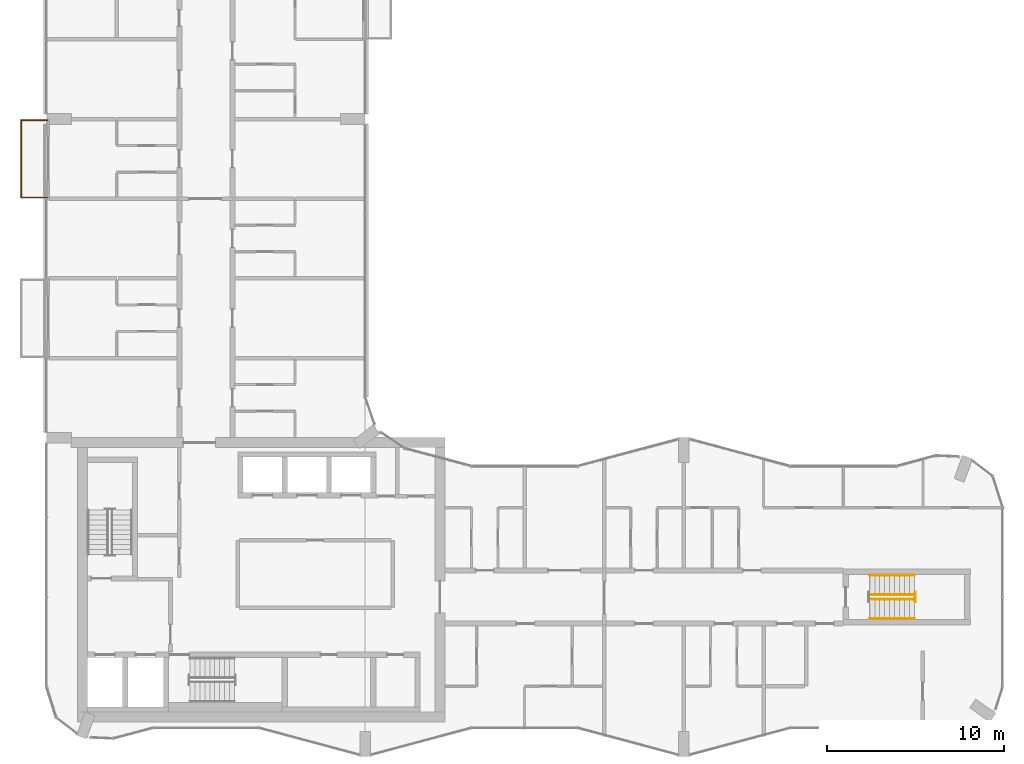
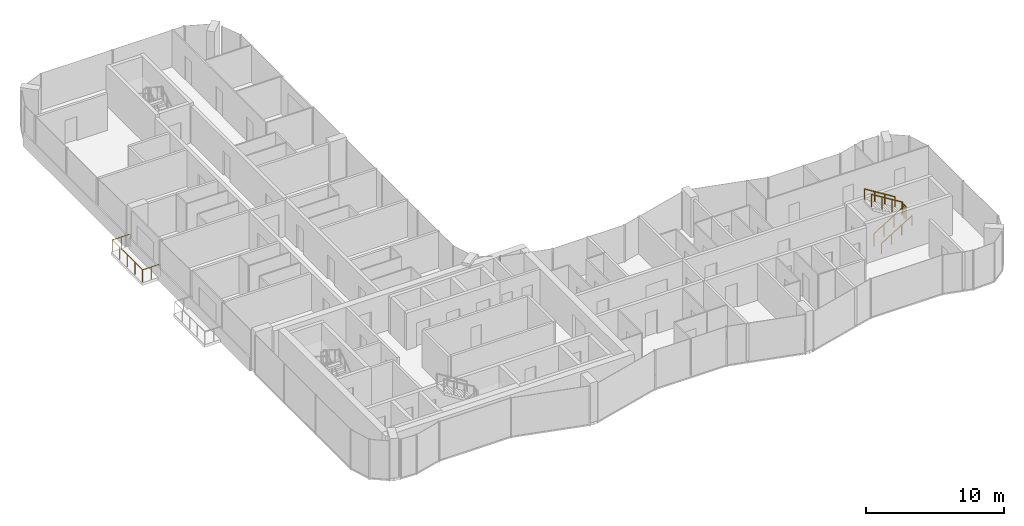
# One storey, part 15 of 16: 6 railings.
"""IFC4 building model written with IfcOpenShell, lengths in metres."""

from ifc_helpers import new_model, si_unit, direction, frame, origin, origin_2d, place, context, subcontext, project, spatial, circle, extrude, material, type_object, element, save


model = new_model("IFC4")

# Units and contexts
model_context = context("Model", 3, precision=1e-05, world=origin(), true_north=direction((0.0, 1.0)))
body_context = subcontext(model_context, "Body", "Model", "MODEL_VIEW")
ifc_project = project(units=[si_unit("LENGTHUNIT", "METRE"), si_unit("AREAUNIT", "SQUARE_METRE"), si_unit("VOLUMEUNIT", "CUBIC_METRE"), si_unit("PLANEANGLEUNIT", "RADIAN"), si_unit("MASSUNIT", "GRAM", prefix="KILO")], contexts=[model_context])

# Site, building, storey
site_placement = place(None, origin())
site = spatial("IfcSite", under=ifc_project, at=site_placement, CompositionType="ELEMENT")
building_placement = place(site_placement, origin())
building = spatial("IfcBuilding", under=site, at=building_placement, Name="Plateau Cross Towers", CompositionType="ELEMENT")
storey_placement = place(building_placement, frame((0.0, 0.0, 211.89990234375)))
storey = spatial("IfcBuildingStorey", under=building, at=storey_placement, Name="L55", CompositionType="ELEMENT", Elevation=211.89990234375)

# Railings
ifc_material_1 = material(Name="Stainless steel and toughened glass", Category="steel")
railing_type_1 = type_object("IfcRailingType", Name="Glass balustrade guard 1100", PredefinedType="GUARDRAIL", material=ifc_material_1)
railing_1_placement = place(storey_placement, frame((0.050048828125, 31.570068359375, 0.0)))
element("IfcRailing", 1, at=railing_1_placement, inside=storey, type_object=railing_type_1, Name="Guard guard1", PredefinedType="GUARDRAIL", context=body_context, shape_type="SweptSolid", body=[
    extrude(circle(Radius=0.02392578125, at=origin_2d()), frame((0.0, 0.0, 1.076171875), z_axis=(-1.0, 0.0, 0.0), x_axis=(0.0, -1.0, 0.0)), (0.0, 0.0, 1.0), 1.47998046875),
    extrude(circle(Radius=0.02392578125, at=origin_2d()), frame((-1.47998046875, 0.0, 1.076171875), z_axis=(0.0, 1.0, 0.0), x_axis=(-1.0, 0.0, 0.0)), (0.0, 0.0, 1.0), 4.35986328125),
    extrude(circle(Radius=0.02392578125, at=origin_2d()), frame((-1.47998046875, 4.35986328125, 1.076171875), z_axis=(1.0, 0.0, 0.0), x_axis=(0.0, 1.0, 0.0)), (0.0, 0.0, 1.0), 1.47998046875),
    extrude(circle(Radius=0.02099609375, at=origin_2d()), origin(), (0.0, 0.0, 1.0), 1.052001953125),
    extrude(circle(Radius=0.02099609375, at=origin_2d()), frame((-0.739990234375, 0.0, 0.0)), (0.0, 0.0, 1.0), 1.052001953125),
    extrude(circle(Radius=0.02099609375, at=origin_2d()), frame((-1.47998046875, 0.0, 0.0)), (0.0, 0.0, 1.0), 1.052001953125),
    extrude(circle(Radius=0.02099609375, at=origin_2d()), frame((-1.47998046875, 1.08984375, 0.0)), (0.0, 0.0, 1.0), 1.052001953125),
    extrude(circle(Radius=0.02099609375, at=origin_2d()), frame((-1.47998046875, 2.179931640625, 0.0)), (0.0, 0.0, 1.0), 1.052001953125),
    extrude(circle(Radius=0.02099609375, at=origin_2d()), frame((-1.47998046875, 3.27001953125, 0.0)), (0.0, 0.0, 1.0), 1.052001953125),
    extrude(circle(Radius=0.02099609375, at=origin_2d()), frame((-1.47998046875, 4.35986328125, 0.0)), (0.0, 0.0, 1.0), 1.052001953125),
    extrude(circle(Radius=0.02099609375, at=origin_2d()), frame((-0.739990234375, 4.35986328125, 0.0)), (0.0, 0.0, 1.0), 1.052001953125),
    extrude(circle(Radius=0.02099609375, at=origin_2d()), frame((0.0, 4.35986328125, 0.0)), (0.0, 0.0, 1.0), 1.052001953125),
])
railing_type_2 = type_object("IfcRailingType", Name="RL-GUARD-1100", PredefinedType="GUARDRAIL", material=ifc_material_1)
railing_2_placement = place(storey_placement, frame((46.5, 8.875, 0.175048828125)))
element("IfcRailing", 2, at=railing_2_placement, inside=storey, type_object=railing_type_2, Name="L55 ES-E stair guard 1", PredefinedType="GUARDRAIL", context=body_context, shape_type="SweptSolid", body=[
    extrude(circle(Radius=0.02392578125, at=origin_2d()), frame((0.0, 0.0, 1.076171875), z_axis=(0.848007534815, 0.0, 0.529984170421), x_axis=(0.0, 1.0, 0.0)), (0.0, 0.0, 1.0), 2.9716796875),
    extrude(circle(Radius=0.02099609375, at=origin_2d()), origin(), (0.0, 0.0, 1.0), 1.052001953125),
    extrude(circle(Radius=0.02099609375, at=origin_2d()), frame((0.840087890625, 0.0, 0.52490234375)), (0.0, 0.0, 1.0), 1.052001953125),
    extrude(circle(Radius=0.02099609375, at=origin_2d()), frame((1.679931640625, 0.0, 1.050048828125)), (0.0, 0.0, 1.0), 1.052001953125),
    extrude(circle(Radius=0.02099609375, at=origin_2d()), frame((2.52001953125, 0.0, 1.574951171875)), (0.0, 0.0, 1.0), 1.052001953125),
])
railing_3_placement = place(storey_placement, frame((49.070068359375, 8.72509765625, 1.75)))
element("IfcRailing", 3, at=railing_3_placement, inside=storey, type_object=railing_type_2, Name="L55 ES-E stair guard 2", PredefinedType="GUARDRAIL", context=body_context, shape_type="SweptSolid", body=[
    extrude(circle(Radius=0.02392578125, at=origin_2d()), frame((0.0, 0.0, 1.076171875), z_axis=(0.0, 1.0, 0.0), x_axis=(-1.0, 0.0, 0.0)), (0.0, 0.0, 1.0), 0.5498046875),
    extrude(circle(Radius=0.02099609375, at=origin_2d()), origin(), (0.0, 0.0, 1.0), 1.052001953125),
    extrude(circle(Radius=0.02099609375, at=origin_2d()), frame((0.0, 0.5498046875, 0.0)), (0.0, 0.0, 1.0), 1.052001953125),
])
railing_4_placement = place(storey_placement, frame((49.02001953125, 9.125, 1.925048828125)))
element("IfcRailing", 4, at=railing_4_placement, inside=storey, type_object=railing_type_2, Name="L55 ES-E stair guard 3", PredefinedType="GUARDRAIL", context=body_context, shape_type="SweptSolid", body=[
    extrude(circle(Radius=0.02392578125, at=origin_2d()), frame((0.0, 0.0, 1.076171875), z_axis=(-0.852638500773, 0.0, 0.522501279423), x_axis=(0.0, -1.0, 0.0)), (0.0, 0.0, 1.0), 3.01416015625),
    extrude(circle(Radius=0.02099609375, at=origin_2d()), origin(), (0.0, 0.0, 1.0), 1.052001953125),
    extrude(circle(Radius=0.02099609375, at=origin_2d()), frame((-0.856689453125, 0.0, 0.52490234375)), (0.0, 0.0, 1.0), 1.052001953125),
    extrude(circle(Radius=0.02099609375, at=origin_2d()), frame((-1.71337890625, 0.0, 1.050048828125)), (0.0, 0.0, 1.0), 1.052001953125),
    extrude(circle(Radius=0.02099609375, at=origin_2d()), frame((-2.570068359375, 0.0, 1.574951171875)), (0.0, 0.0, 1.0), 1.052001953125),
])
ifc_material_2 = material(Name="Black anodised aluminium", Category="aluminium")
railing_type_3 = type_object("IfcRailingType", Name="RL-HANDRAIL-900", PredefinedType="HANDRAIL", material=ifc_material_2)
railing_5_placement = place(storey_placement, frame((46.5, 7.77490234375, 0.175048828125)))
element("IfcRailing", 5, at=railing_5_placement, inside=storey, type_object=railing_type_3, Name="L55 ES-E stair handrail 1", PredefinedType="HANDRAIL", context=body_context, shape_type="SweptSolid", body=[
    extrude(circle(Radius=0.02392578125, at=origin_2d()), frame((0.0, 0.0, 0.8759765625), z_axis=(0.848007534815, 0.0, 0.529984170421), x_axis=(0.0, 1.0, 0.0)), (0.0, 0.0, 1.0), 2.9716796875),
    extrude(circle(Radius=0.02099609375, at=origin_2d()), origin(), (0.0, 0.0, 1.0), 0.851806640625),
    extrude(circle(Radius=0.02099609375, at=origin_2d()), frame((0.840087890625, 0.0, 0.52490234375)), (0.0, 0.0, 1.0), 0.851806640625),
    extrude(circle(Radius=0.02099609375, at=origin_2d()), frame((1.679931640625, 0.0, 1.050048828125)), (0.0, 0.0, 1.0), 0.851806640625),
    extrude(circle(Radius=0.02099609375, at=origin_2d()), frame((2.52001953125, 0.0, 1.574951171875)), (0.0, 0.0, 1.0), 0.851806640625),
])
railing_6_placement = place(storey_placement, frame((49.02001953125, 10.22509765625, 1.925048828125)))
element("IfcRailing", 6, at=railing_6_placement, inside=storey, type_object=railing_type_3, Name="L55 ES-E stair handrail 2", PredefinedType="HANDRAIL", context=body_context, shape_type="SweptSolid", body=[
    extrude(circle(Radius=0.02392578125, at=origin_2d()), frame((0.0, 0.0, 0.8759765625), z_axis=(-0.848007534815, 0.0, 0.529984170421), x_axis=(0.0, -1.0, 0.0)), (0.0, 0.0, 1.0), 2.9716796875),
    extrude(circle(Radius=0.02099609375, at=origin_2d()), origin(), (0.0, 0.0, 1.0), 0.851806640625),
    extrude(circle(Radius=0.02099609375, at=origin_2d()), frame((-0.840087890625, 0.0, 0.52490234375)), (0.0, 0.0, 1.0), 0.851806640625),
    extrude(circle(Radius=0.02099609375, at=origin_2d()), frame((-1.679931640625, 0.0, 1.050048828125)), (0.0, 0.0, 1.0), 0.851806640625),
    extrude(circle(Radius=0.02099609375, at=origin_2d()), frame((-2.52001953125, 0.0, 1.574951171875)), (0.0, 0.0, 1.0), 0.851806640625),
])

save(model, "model.ifc")
